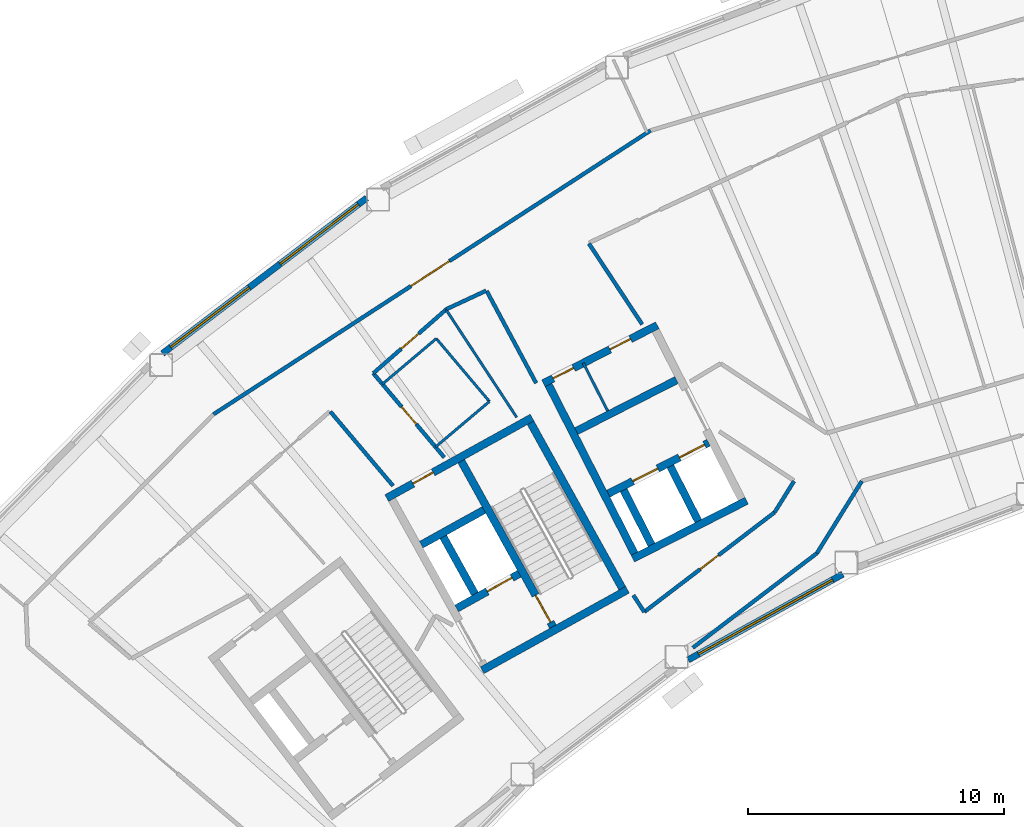
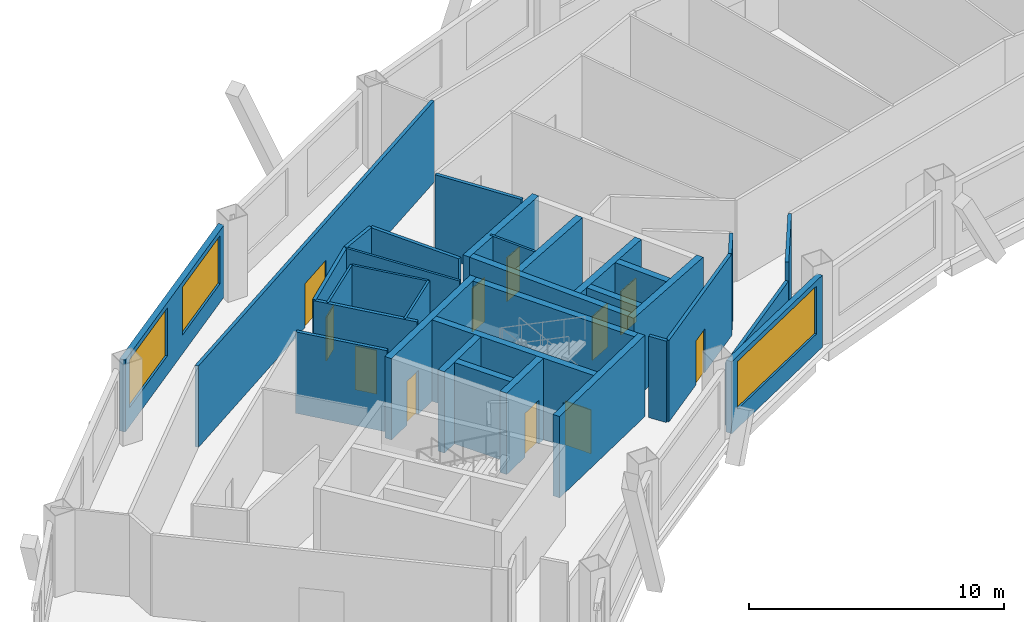
# One storey, part 6 of 14: 33 walls, 11 doors, 3 windows, 14 openings.
"""IFC4 building model written with IfcOpenShell, lengths in metres."""

from ifc_helpers import new_model, si_unit, direction, frame, frame_2d, origin, place, context, subcontext, project, spatial, rectangle, extrude, material, layer, layer_set, type_object, element, fill, save


model = new_model("IFC4")

# Units and contexts
model_context = context("Model", 3, precision=1e-05, world=origin(), true_north=direction((0.0, 1.0)))
body_context = subcontext(model_context, "Body", "Model", "MODEL_VIEW")
ifc_project = project(units=[si_unit("LENGTHUNIT", "METRE"), si_unit("AREAUNIT", "SQUARE_METRE"), si_unit("VOLUMEUNIT", "CUBIC_METRE"), si_unit("PLANEANGLEUNIT", "RADIAN"), si_unit("MASSUNIT", "GRAM", prefix="KILO")], contexts=[model_context])

# Site, building, storey
site_placement = place(None, origin())
site = spatial("IfcSite", under=ifc_project, at=site_placement, CompositionType="ELEMENT")
building_placement = place(site_placement, origin())
building = spatial("IfcBuilding", under=site, at=building_placement, Name="Tuul Gate Civic Tower", CompositionType="ELEMENT")
storey_placement = place(building_placement, frame((0.0, 0.0, 217.89990234375)))
storey = spatial("IfcBuildingStorey", under=building, at=storey_placement, Name="Level 49", CompositionType="ELEMENT", Elevation=217.89990234375)

# Wall
ifc_material_1 = material(Name="Concrete C50/60", Category="concrete")
ifc_layer_1 = layer(ifc_material_1, 0.300048828125)
ifc_layer_set_1 = layer_set([ifc_layer_1], Name="Concrete C50/60")
wall_type_1 = type_object("IfcWallType", Name="Core wall C50/60", PredefinedType="SHEAR", material=ifc_layer_set_1)
wall_1_placement = place(storey_placement, frame((-24.711669921875, -8.7158203125, 0.0), z_axis=(0.0, 0.0, 1.0), x_axis=(-0.874629909008, -0.484791215132, 0.0)))
element("IfcWall", 1, at=wall_1_placement, inside=storey, type_object=wall_type_1, Name="Core wall", PredefinedType="SHEAR", context=body_context, shape_type="SweptSolid", body=[
    extrude(rectangle(XDim=6.5, YDim=0.300048828125, at=frame_2d((3.25, 0.0))), origin(), (0.0, 0.0, 1.0), 3.900146484375),
])

# Wall, opening, door
wall_2_placement = place(storey_placement, frame((-28.94580078125, -8.090087890625, 0.0), z_axis=(0.0, 0.0, 1.0), x_axis=(-0.874629840737, -0.484791338301, 0.0)))
wall_2 = element("IfcWall", 2, at=wall_2_placement, inside=storey, type_object=wall_type_1, Name="Core wall", PredefinedType="SHEAR", context=body_context, shape_type="SweptSolid", body=[
    extrude(rectangle(XDim=2.800048828125, YDim=0.300048828125, at=frame_2d((1.39990234375, 0.0))), origin(), (0.0, 0.0, 1.0), 3.900146484375),
])
opening_1_placement = place(wall_2_placement, frame((0.324951171875, 0.0, 0.0)))
opening_1 = element("IfcOpeningElement", 3, at=opening_1_placement, cuts=wall_2, Name="Opening LD-FF-1", PredefinedType="OPENING", context=body_context, shape_type="SweptSolid", body=[
    extrude(rectangle(XDim=1.10009765625, YDim=2.10009765625, at=frame_2d((0.550048828125, 1.050048828125))), frame((0.0, 0.16015625, 0.0), z_axis=(0.0, -1.0, 0.0), x_axis=(1.0, 0.0, 0.0)), (0.0, 0.0, 1.0), 0.320068359375),
])
ifc_material_2 = material(Name="Stainless steel", Category="steel")
door_type_1 = type_object("IfcDoorType", Name="Landing door", OperationType="DOUBLE_DOOR_SLIDING", PredefinedType="DOOR", material=ifc_material_2)
door_1_placement = place(opening_1_placement, origin())
door_1 = element("IfcDoor", 4, at=door_1_placement, inside=storey, type_object=door_type_1, Name="Fire-fighting lift FF-1 landing door", OperationType="DOUBLE_DOOR_SLIDING", OverallHeight=2.10009765625, OverallWidth=1.10009765625, PredefinedType="DOOR", context=body_context, shape_type="SweptSolid", body=[
    extrude(rectangle(XDim=1.10009765625, YDim=2.10009765625, at=frame_2d((0.550048828125, 1.050048828125))), frame((0.0, 0.02490234375, 0.0), z_axis=(0.0, -1.0, 0.0), x_axis=(1.0, 0.0, 0.0)), (0.0, 0.0, 1.0), 0.050048828125),
])
fill(opening_1, door_1)

# Wall
wall_3_placement = place(storey_placement, frame((-30.327392578125, -5.59716796875, 0.0), z_axis=(0.0, 0.0, 1.0), x_axis=(-0.874629840737, -0.484791338301, 0.0)))
element("IfcWall", 5, at=wall_3_placement, inside=storey, type_object=wall_type_1, Name="Core wall", PredefinedType="SHEAR", context=body_context, shape_type="SweptSolid", body=[
    extrude(rectangle(XDim=2.800048828125, YDim=0.300048828125, at=frame_2d((1.39990234375, 0.0))), origin(), (0.0, 0.0, 1.0), 3.900146484375),
])

# Wall, opening, door
wall_4_placement = place(storey_placement, frame((-28.4443359375, -1.98095703125, 0.0), z_axis=(0.0, 0.0, 1.0), x_axis=(-0.874629909008, -0.484791215132, 0.0)))
wall_4 = element("IfcWall", 6, at=wall_4_placement, inside=storey, type_object=wall_type_1, Name="Core wall", PredefinedType="SHEAR", context=body_context, shape_type="SweptSolid", body=[
    extrude(rectangle(XDim=6.5, YDim=0.300048828125, at=frame_2d((3.25, 0.0))), origin(), (0.0, 0.0, 1.0), 3.900146484375),
])
opening_2_placement = place(wall_4_placement, frame((4.425048828125, 0.0, 0.0)))
opening_2 = element("IfcOpeningElement", 7, at=opening_2_placement, cuts=wall_4, Name="Opening R-D44", PredefinedType="OPENING", context=body_context, shape_type="SweptSolid", body=[
    extrude(rectangle(XDim=0.89990234375, YDim=2.10009765625, at=frame_2d((0.449951171875, 1.050048828125))), frame((0.0, 0.16015625, 0.0), z_axis=(0.0, -1.0, 0.0), x_axis=(1.0, 0.0, 0.0)), (0.0, 0.0, 1.0), 0.320068359375),
])
ifc_material_3 = material(Name="Timber door leaf", Category="wood")
door_type_2 = type_object("IfcDoorType", Name="Door D09", OperationType="NOTDEFINED", PredefinedType="DOOR", material=ifc_material_3)
door_2_placement = place(opening_2_placement, origin())
door_2 = element("IfcDoor", 8, at=door_2_placement, inside=storey, type_object=door_type_2, Name="Door R-D44", OperationType="SINGLE_SWING_LEFT", OverallHeight=2.10009765625, OverallWidth=0.89990234375, PredefinedType="DOOR", context=body_context, shape_type="SweptSolid", body=[
    extrude(rectangle(XDim=0.89990234375, YDim=2.10009765625, at=frame_2d((0.449951171875, 1.050048828125))), frame((0.0, 0.02490234375, 0.0), z_axis=(0.0, -1.0, 0.0), x_axis=(1.0, 0.0, 0.0)), (0.0, 0.0, 1.0), 0.050048828125),
])
fill(opening_2, door_2)

# Wall
wall_5_placement = place(storey_placement, frame((-24.91552734375, -8.6572265625, 0.0), z_axis=(0.0, 0.0, 1.0), x_axis=(-0.484777133038, 0.874637714304, 0.0)))
element("IfcWall", 9, at=wall_5_placement, inside=storey, type_object=wall_type_1, Name="Core wall", PredefinedType="SHEAR", context=body_context, shape_type="SweptSolid", body=[
    extrude(rectangle(XDim=7.400146484375, YDim=0.300048828125, at=frame_2d((3.7001953125, 0.0))), origin(), (0.0, 0.0, 1.0), 3.900146484375),
])

# Wall, opening, door
wall_6_placement = place(storey_placement, frame((-27.626953125, -10.16015625, 0.0), z_axis=(0.0, 0.0, 1.0), x_axis=(-0.484751894226, 0.874651702704, 0.0)))
wall_6 = element("IfcWall", 10, at=wall_6_placement, inside=storey, type_object=wall_type_1, Name="Core wall", PredefinedType="SHEAR", context=body_context, shape_type="SweptSolid", body=[
    extrude(rectangle(XDim=7.39990234375, YDim=0.300048828125, at=frame_2d((3.699951171875, 0.0))), origin(), (0.0, 0.0, 1.0), 3.900146484375),
])
opening_3_placement = place(wall_6_placement, frame((0.199951171875, 0.0, 0.0)))
opening_3 = element("IfcOpeningElement", 11, at=opening_3_placement, cuts=wall_6, Name="Opening SD-ST-2", PredefinedType="OPENING", context=body_context, shape_type="SweptSolid", body=[
    extrude(rectangle(XDim=1.199951171875, YDim=2.10009765625, at=frame_2d((0.60009765625, 1.050048828125))), frame((0.0, 0.16015625, 0.0), z_axis=(0.0, -1.0, 0.0), x_axis=(1.0, 0.0, 0.0)), (0.0, 0.0, 1.0), 0.320068359375),
])
ifc_material_4 = material(Name="Steel", Category="steel")
door_type_3 = type_object("IfcDoorType", Name="Stair door", OperationType="NOTDEFINED", PredefinedType="DOOR", material=ifc_material_4)
door_3_placement = place(opening_3_placement, origin())
door_3 = element("IfcDoor", 12, at=door_3_placement, inside=storey, type_object=door_type_3, Name="Stair door ST-2", OperationType="SINGLE_SWING_LEFT", OverallHeight=2.10009765625, OverallWidth=1.199951171875, PredefinedType="DOOR", context=body_context, shape_type="SweptSolid", body=[
    extrude(rectangle(XDim=1.199951171875, YDim=2.10009765625, at=frame_2d((0.60009765625, 1.050048828125))), frame((0.0, 0.02490234375, 0.0), z_axis=(0.0, -1.0, 0.0), x_axis=(1.0, 0.0, 0.0)), (0.0, 0.0, 1.0), 0.050048828125),
])
fill(opening_3, door_3)

# Wall
wall_7_placement = place(storey_placement, frame((-30.680419921875, -8.8798828125, 0.0), z_axis=(0.0, 0.0, 1.0), x_axis=(-0.484724115216, 0.874667097888, 0.0)))
element("IfcWall", 13, at=wall_7_placement, inside=storey, type_object=wall_type_1, Name="Core wall", PredefinedType="SHEAR", context=body_context, shape_type="SweptSolid", body=[
    extrude(rectangle(XDim=2.550048828125, YDim=0.300048828125, at=frame_2d((1.27490234375, 0.0))), origin(), (0.0, 0.0, 1.0), 3.900146484375),
])

# Wall, opening, door
ifc_material_5 = material(Name="Gypsum board partition")
ifc_layer_2 = layer(ifc_material_5, 0.14990234375)
ifc_layer_set_2 = layer_set([ifc_layer_2], Name="Gypsum board partition")
wall_type_2 = type_object("IfcWallType", Name="Corridor wall P150", PredefinedType="PARTITIONING", material=ifc_layer_set_2)
wall_8_placement = place(storey_placement, frame((-40.91259765625, -1.85595703125, 0.0), z_axis=(0.0, 0.0, 1.0), x_axis=(0.838694654804, 0.54460194271, 0.0)))
wall_8 = element("IfcWall", 14, at=wall_8_placement, inside=storey, type_object=wall_type_2, Name="p014", PredefinedType="PARTITIONING", context=body_context, shape_type="SweptSolid", body=[
    extrude(rectangle(XDim=20.39013671875, YDim=0.14990234375, at=frame_2d((10.195068359375, 0.0))), origin(), (0.0, 0.0, 1.0), 3.900146484375),
])
opening_4_placement = place(wall_8_placement, frame((9.218017578125, 0.0, 0.0)))
opening_4 = element("IfcOpeningElement", 15, at=opening_4_placement, cuts=wall_8, Name="Opening R-D05", PredefinedType="OPENING", context=body_context, shape_type="SweptSolid", body=[
    extrude(rectangle(XDim=1.800048828125, YDim=2.10009765625, at=frame_2d((0.89990234375, 1.050048828125))), frame((0.0, 0.0849609375, 0.0), z_axis=(0.0, -1.0, 0.0), x_axis=(1.0, 0.0, 0.0)), (0.0, 0.0, 1.0), 0.169921875),
])
ifc_material_6 = material(Name="Timber door leaf, double", Category="wood")
door_type_4 = type_object("IfcDoorType", Name="Door D18", OperationType="DOUBLE_DOOR_SINGLE_SWING", PredefinedType="DOOR", material=ifc_material_6)
door_4_placement = place(opening_4_placement, origin())
door_4 = element("IfcDoor", 16, at=door_4_placement, inside=storey, type_object=door_type_4, Name="Door R-D05", OperationType="DOUBLE_DOOR_SINGLE_SWING", OverallHeight=2.10009765625, OverallWidth=1.800048828125, PredefinedType="DOOR", context=body_context, shape_type="SweptSolid", body=[
    extrude(rectangle(XDim=1.800048828125, YDim=2.10009765625, at=frame_2d((0.89990234375, 1.050048828125))), frame((0.0, 0.02490234375, 0.0), z_axis=(0.0, -1.0, 0.0), x_axis=(1.0, 0.0, 0.0)), (0.0, 0.0, 1.0), 0.050048828125),
])
fill(opening_4, door_4)

# Walls
wall_9_placement = place(storey_placement, frame((-17.30126953125, -7.2890625, 0.0), z_axis=(0.0, 0.0, 1.0), x_axis=(0.528856076926, 0.848711523368, 0.0)))
element("IfcWall", 17, at=wall_9_placement, inside=storey, type_object=wall_type_2, Name="p039", PredefinedType="PARTITIONING", context=body_context, shape_type="SweptSolid", body=[
    extrude(rectangle(XDim=3.3232421875, YDim=0.14990234375, at=frame_2d((1.66162109375, 0.0))), origin(), (0.0, 0.0, 1.0), 3.900146484375),
])
wall_10_placement = place(storey_placement, frame((-31.78955078125, 2.26220703125, 0.0), z_axis=(0.0, 0.0, 1.0), x_axis=(0.906552739591, 0.422092561341, 0.0)))
element("IfcWall", 18, at=wall_10_placement, inside=storey, type_object=wall_type_2, Name="p082", PredefinedType="PARTITIONING", context=body_context, shape_type="SweptSolid", body=[
    extrude(rectangle(XDim=1.702880859375, YDim=0.14990234375, at=frame_2d((0.8515625, 0.0))), origin(), (0.0, 0.0, 1.0), 3.900146484375),
])
wall_11_placement = place(storey_placement, frame((-26.22119140625, 4.828857421875, 0.0), z_axis=(0.0, 0.0, 1.0), x_axis=(0.550321528377, -0.834952822263, 0.0)))
element("IfcWall", 19, at=wall_11_placement, inside=storey, type_object=wall_type_2, Name="p087", PredefinedType="PARTITIONING", context=body_context, shape_type="SweptSolid", body=[
    extrude(rectangle(XDim=3.78955078125, YDim=0.14990234375, at=frame_2d((1.894775390625, 0.0))), origin(), (0.0, 0.0, 1.0), 3.900146484375),
])
wall_12_placement = place(storey_placement, frame((-24.482421875, -8.931640625, 0.0), z_axis=(0.0, 0.0, 1.0), x_axis=(0.548342642764, -0.836253757018, 0.0)))
element("IfcWall", 20, at=wall_12_placement, inside=storey, type_object=wall_type_2, Name="p089", PredefinedType="PARTITIONING", context=body_context, shape_type="SweptSolid", body=[
    extrude(rectangle(XDim=0.78173828125, YDim=0.14990234375, at=frame_2d((0.390869140625, 0.0))), origin(), (0.0, 0.0, 1.0), 3.900146484375),
])

# Wall, opening, door
wall_13_placement = place(storey_placement, frame((-34.65625, -0.24853515625, 0.0), z_axis=(0.0, 0.0, 1.0), x_axis=(0.752267052032, 0.658858317416, 0.0)))
wall_13 = element("IfcWall", 21, at=wall_13_placement, inside=storey, type_object=wall_type_2, Name="p091", PredefinedType="PARTITIONING", context=body_context, shape_type="SweptSolid", body=[
    extrude(rectangle(XDim=3.810791015625, YDim=0.14990234375, at=frame_2d((1.9052734375, 0.0))), origin(), (0.0, 0.0, 1.0), 3.900146484375),
])
opening_5_placement = place(wall_13_placement, frame((1.455322265625, 0.0, 0.0)))
opening_5 = element("IfcOpeningElement", 22, at=opening_5_placement, cuts=wall_13, Name="Opening R-D42", PredefinedType="OPENING", context=body_context, shape_type="SweptSolid", body=[
    extrude(rectangle(XDim=0.89990234375, YDim=2.10009765625, at=frame_2d((0.449951171875, 1.050048828125))), frame((0.0, 0.0849609375, 0.0), z_axis=(0.0, -1.0, 0.0), x_axis=(1.0, 0.0, 0.0)), (0.0, 0.0, 1.0), 0.169921875),
])
door_5_placement = place(opening_5_placement, origin())
door_5 = element("IfcDoor", 23, at=door_5_placement, inside=storey, type_object=door_type_2, Name="Door R-D42", OperationType="SINGLE_SWING_RIGHT", OverallHeight=2.10009765625, OverallWidth=0.89990234375, PredefinedType="DOOR", context=body_context, shape_type="SweptSolid", body=[
    extrude(rectangle(XDim=0.89990234375, YDim=2.10009765625, at=frame_2d((0.449951171875, 1.050048828125))), frame((0.0, 0.02490234375, 0.0), z_axis=(0.0, -1.0, 0.0), x_axis=(1.0, 0.0, 0.0)), (0.0, 0.0, 1.0), 0.050048828125),
])
fill(opening_5, door_5)

# Walls
wall_14_placement = place(storey_placement, frame((-30.21923828125, 2.971923828125, 0.0), z_axis=(0.0, 0.0, 1.0), x_axis=(0.472839183622, -0.881148742513, 0.0)))
element("IfcWall", 24, at=wall_14_placement, inside=storey, type_object=wall_type_2, Name="p092", PredefinedType="PARTITIONING", context=body_context, shape_type="SweptSolid", body=[
    extrude(rectangle(XDim=4.08984375, YDim=0.14990234375, at=frame_2d((2.044921875, 0.0))), origin(), (0.0, 0.0, 1.0), 3.900146484375),
])
wall_15_placement = place(storey_placement, frame((-18.952392578125, -5.684326171875, 0.0), z_axis=(0.0, 0.0, 1.0), x_axis=(0.528862582225, 0.848707469699, 0.0)))
element("IfcWall", 25, at=wall_15_placement, inside=storey, type_object=wall_type_2, Name="p094", PredefinedType="PARTITIONING", context=body_context, shape_type="SweptSolid", body=[
    extrude(rectangle(XDim=1.4296875, YDim=0.14990234375, at=frame_2d((0.71484375, 0.0))), origin(), (0.0, 0.0, 1.0), 3.900146484375),
])

# Wall, opening, door
wall_16_placement = place(storey_placement, frame((-24.0537109375, -9.58544921875, 0.0), z_axis=(0.0, 0.0, 1.0), x_axis=(0.794499344457, 0.607265009413, 0.0)))
wall_16 = element("IfcWall", 26, at=wall_16_placement, inside=storey, type_object=wall_type_2, Name="p095", PredefinedType="PARTITIONING", context=body_context, shape_type="SweptSolid", body=[
    extrude(rectangle(XDim=6.4140625, YDim=0.14990234375, at=frame_2d((3.20703125, 0.0))), origin(), (0.0, 0.0, 1.0), 3.900146484375),
])
opening_6_placement = place(wall_16_placement, frame((2.757080078125, 0.0, 0.0)))
opening_6 = element("IfcOpeningElement", 27, at=opening_6_placement, cuts=wall_16, Name="Opening R-D34", PredefinedType="OPENING", context=body_context, shape_type="SweptSolid", body=[
    extrude(rectangle(XDim=0.89990234375, YDim=2.10009765625, at=frame_2d((0.449951171875, 1.050048828125))), frame((0.0, 0.0849609375, 0.0), z_axis=(0.0, -1.0, 0.0), x_axis=(1.0, 0.0, 0.0)), (0.0, 0.0, 1.0), 0.169921875),
])
door_6_placement = place(opening_6_placement, origin())
door_6 = element("IfcDoor", 28, at=door_6_placement, inside=storey, type_object=door_type_2, Name="Door R-D34", OperationType="SINGLE_SWING_RIGHT", OverallHeight=2.10009765625, OverallWidth=0.89990234375, PredefinedType="DOOR", context=body_context, shape_type="SweptSolid", body=[
    extrude(rectangle(XDim=0.89990234375, YDim=2.10009765625, at=frame_2d((0.449951171875, 1.050048828125))), frame((0.0, 0.02490234375, 0.0), z_axis=(0.0, -1.0, 0.0), x_axis=(1.0, 0.0, 0.0)), (0.0, 0.0, 1.0), 0.050048828125),
])
fill(opening_6, door_6)

wall_17_placement = place(storey_placement, frame((-34.65625, -0.24853515625, 0.0), z_axis=(0.0, 0.0, 1.0), x_axis=(0.645164646928, -0.764043570979, 0.0)))
wall_17 = element("IfcWall", 29, at=wall_17_placement, inside=storey, type_object=wall_type_2, Name="p097", PredefinedType="PARTITIONING", context=body_context, shape_type="SweptSolid", body=[
    extrude(rectangle(XDim=4.30859375, YDim=0.14990234375, at=frame_2d((2.154296875, 0.0))), origin(), (0.0, 0.0, 1.0), 3.900146484375),
])
opening_7_placement = place(wall_17_placement, frame((1.714111328125, 0.0, 0.0)))
opening_7 = element("IfcOpeningElement", 30, at=opening_7_placement, cuts=wall_17, Name="Opening R-D35", PredefinedType="OPENING", context=body_context, shape_type="SweptSolid", body=[
    extrude(rectangle(XDim=0.89990234375, YDim=2.10009765625, at=frame_2d((0.449951171875, 1.050048828125))), frame((0.0, 0.0849609375, 0.0), z_axis=(0.0, -1.0, 0.0), x_axis=(1.0, 0.0, 0.0)), (0.0, 0.0, 1.0), 0.169921875),
])
door_7_placement = place(opening_7_placement, origin())
door_7 = element("IfcDoor", 31, at=door_7_placement, inside=storey, type_object=door_type_2, Name="Door R-D35", OperationType="SINGLE_SWING_RIGHT", OverallHeight=2.10009765625, OverallWidth=0.89990234375, PredefinedType="DOOR", context=body_context, shape_type="SweptSolid", body=[
    extrude(rectangle(XDim=0.89990234375, YDim=2.10009765625, at=frame_2d((0.449951171875, 1.050048828125))), frame((0.0, 0.02490234375, 0.0), z_axis=(0.0, -1.0, 0.0), x_axis=(1.0, 0.0, 0.0)), (0.0, 0.0, 1.0), 0.050048828125),
])
fill(opening_7, door_7)

# Walls
wall_18_placement = place(storey_placement, frame((-36.335693359375, -1.747314453125, 0.0), z_axis=(0.0, 0.0, 1.0), x_axis=(0.645204975868, -0.764009515069, 0.0)))
element("IfcWall", 32, at=wall_18_placement, inside=storey, type_object=wall_type_2, Name="p102", PredefinedType="PARTITIONING", context=body_context, shape_type="SweptSolid", body=[
    extrude(rectangle(XDim=3.8017578125, YDim=0.14990234375, at=frame_2d((1.90087890625, 0.0))), origin(), (0.0, 0.0, 1.0), 3.900146484375),
])
ifc_material_7 = material(Name="Gypsum board partition")
ifc_layer_3 = layer(ifc_material_7, 0.14990234375)
ifc_layer_set_3 = layer_set([ifc_layer_3], Name="Gypsum board partition")
wall_type_3 = type_object("IfcWallType", Name="Corridor wall P150 3000 HIGH", PredefinedType="PARTITIONING", material=ifc_layer_set_3)
wall_19_placement = place(storey_placement, frame((-22.156005859375, -10.98828125, 0.0), z_axis=(0.0, 0.0, 1.0), x_axis=(0.795349073888, 0.606151672988, 0.0)))
element("IfcWall", 33, at=wall_19_placement, inside=storey, type_object=wall_type_3, Name="p023", PredefinedType="PARTITIONING", context=body_context, shape_type="SweptSolid", body=[
    extrude(rectangle(XDim=6.103515625, YDim=0.14990234375, at=frame_2d((3.0517578125, 0.0))), origin(), (0.0, 0.0, 1.0), 3.0),
])

# Wall, openings, windows
ifc_material_8 = material(Name="Precast concrete C40/50", Category="concrete")
ifc_layer_4 = layer(ifc_material_8, 0.25)
ifc_layer_set_4 = layer_set([ifc_layer_4], Name="Precast concrete C40/50")
wall_type_4 = type_object("IfcWallType", Name="External wall", PredefinedType="STANDARD", material=ifc_layer_set_4)
wall_20_placement = place(storey_placement, frame((-34.9130859375, 6.608642578125, 0.0), z_axis=(0.0, 0.0, 1.0), x_axis=(-0.795599673756, -0.605822712615, 0.0)))
wall_20 = element("IfcWall", 34, at=wall_20_placement, inside=storey, type_object=wall_type_4, Name="External wall", PredefinedType="STANDARD", context=body_context, shape_type="SweptSolid", body=[
    extrude(rectangle(XDim=10.0419921875, YDim=0.25, at=frame_2d((5.02099609375, 0.0))), origin(), (0.0, 0.0, 1.0), 3.4501953125),
])
opening_8_placement = place(wall_20_placement, frame((0.4091796875, 0.0, 0.89990234375)))
opening_8 = element("IfcOpeningElement", 35, at=opening_8_placement, cuts=wall_20, Name="Opening W22", PredefinedType="OPENING", context=body_context, shape_type="SweptSolid", body=[
    extrude(rectangle(XDim=3.85009765625, YDim=2.300048828125, at=frame_2d((1.925048828125, 1.14990234375))), frame((0.0, 0.135009765625, 0.0), z_axis=(0.0, -1.0, 0.0), x_axis=(1.0, 0.0, 0.0)), (0.0, 0.0, 1.0), 0.27001953125),
])
opening_9_placement = place(wall_20_placement, frame((5.780517578125, 0.0, 0.89990234375)))
opening_9 = element("IfcOpeningElement", 36, at=opening_9_placement, cuts=wall_20, Name="Opening W22", PredefinedType="OPENING", context=body_context, shape_type="SweptSolid", body=[
    extrude(rectangle(XDim=3.85009765625, YDim=2.300048828125, at=frame_2d((1.925048828125, 1.14990234375))), frame((0.0, 0.135009765625, 0.0), z_axis=(0.0, -1.0, 0.0), x_axis=(1.0, 0.0, 0.0)), (0.0, 0.0, 1.0), 0.27001953125),
])
ifc_material_9 = material(Name="Glass", Category="glass")
window_type_1 = type_object("IfcWindowType", Name="Window W22 3850 x 2300", PartitioningType="SINGLE_PANEL", PredefinedType="WINDOW", material=ifc_material_9)
window_1_placement = place(opening_8_placement, origin())
window_1 = element("IfcWindow", 37, at=window_1_placement, inside=storey, type_object=window_type_1, Name="Window", OverallHeight=2.300048828125, OverallWidth=3.85009765625, PartitioningType="SINGLE_PANEL", PredefinedType="WINDOW", context=body_context, shape_type="SweptSolid", body=[
    extrude(rectangle(XDim=3.85009765625, YDim=2.300048828125, at=frame_2d((1.925048828125, 1.14990234375))), frame((0.0, 0.030029296875, 0.0), z_axis=(0.0, -1.0, 0.0), x_axis=(1.0, 0.0, 0.0)), (0.0, 0.0, 1.0), 0.06005859375),
])
fill(opening_8, window_1)
window_2_placement = place(opening_9_placement, origin())
window_2 = element("IfcWindow", 38, at=window_2_placement, inside=storey, type_object=window_type_1, Name="Window", OverallHeight=2.300048828125, OverallWidth=3.85009765625, PartitioningType="SINGLE_PANEL", PredefinedType="WINDOW", context=body_context, shape_type="SweptSolid", body=[
    extrude(rectangle(XDim=3.85009765625, YDim=2.300048828125, at=frame_2d((1.925048828125, 1.14990234375))), frame((0.0, 0.030029296875, 0.0), z_axis=(0.0, -1.0, 0.0), x_axis=(1.0, 0.0, 0.0)), (0.0, 0.0, 1.0), 0.06005859375),
])
fill(opening_9, window_2)

# Wall, opening, window
wall_21_placement = place(storey_placement, frame((-22.3369140625, -11.46044921875, 0.0), z_axis=(0.0, 0.0, 1.0), x_axis=(0.874618182136, 0.484812371416, 0.0)))
wall_21 = element("IfcWall", 39, at=wall_21_placement, inside=storey, type_object=wall_type_4, Name="External wall", PredefinedType="STANDARD", context=body_context, shape_type="SweptSolid", body=[
    extrude(rectangle(XDim=6.9150390625, YDim=0.25, at=frame_2d((3.45751953125, 0.0))), origin(), (0.0, 0.0, 1.0), 3.4501953125),
])
opening_10_placement = place(wall_21_placement, frame((0.4619140625, 0.0, 0.89990234375)))
opening_10 = element("IfcOpeningElement", 40, at=opening_10_placement, cuts=wall_21, Name="Opening W26", PredefinedType="OPENING", context=body_context, shape_type="SweptSolid", body=[
    extrude(rectangle(XDim=6.0, YDim=2.300048828125, at=frame_2d((3.0, 1.14990234375))), frame((0.0, 0.135009765625, 0.0), z_axis=(0.0, -1.0, 0.0), x_axis=(1.0, 0.0, 0.0)), (0.0, 0.0, 1.0), 0.27001953125),
])
ifc_material_10 = material(Name="Glass", Category="glass")
window_type_2 = type_object("IfcWindowType", Name="Window W26 6000 x 2300", PartitioningType="SINGLE_PANEL", PredefinedType="WINDOW", material=ifc_material_10)
window_3_placement = place(opening_10_placement, origin())
window_3 = element("IfcWindow", 41, at=window_3_placement, inside=storey, type_object=window_type_2, Name="Window", OverallHeight=2.300048828125, OverallWidth=6.0, PartitioningType="SINGLE_PANEL", PredefinedType="WINDOW", context=body_context, shape_type="SweptSolid", body=[
    extrude(rectangle(XDim=6.0, YDim=2.300048828125, at=frame_2d((3.0, 1.14990234375))), frame((0.0, 0.030029296875, 0.0), z_axis=(0.0, -1.0, 0.0), x_axis=(1.0, 0.0, 0.0)), (0.0, 0.0, 1.0), 0.06005859375),
])
fill(opening_10, window_3)

# Wall
ifc_material_11 = material(Name="Concrete C40/50", Category="concrete")
ifc_layer_5 = layer(ifc_material_11, 0.300048828125)
ifc_layer_set_5 = layer_set([ifc_layer_5], Name="Concrete C40/50")
wall_type_5 = type_object("IfcWallType", Name="Lift shaft wall C40/50", PredefinedType="STANDARD", material=ifc_layer_set_5)
wall_22_placement = place(storey_placement, frame((-20.049072265625, -5.232421875, 0.0), z_axis=(0.0, 0.0, 1.0), x_axis=(-0.891002976909, -0.453997461601, 0.0)))
element("IfcWall", 42, at=wall_22_placement, inside=storey, type_object=wall_type_5, Name="Shaft wall", PredefinedType="STANDARD", context=body_context, shape_type="SweptSolid", body=[
    extrude(rectangle(XDim=5.0, YDim=0.300048828125, at=frame_2d((2.5, 0.0))), origin(), (0.0, 0.0, 1.0), 3.900146484375),
])

# Wall, openings, doors
wall_23_placement = place(storey_placement, frame((-21.542236328125, -2.962890625, 0.0), z_axis=(0.0, 0.0, 1.0), x_axis=(-0.891005618941, -0.453992276384, 0.0)))
wall_23 = element("IfcWall", 43, at=wall_23_placement, inside=storey, type_object=wall_type_5, Name="Shaft wall", PredefinedType="STANDARD", context=body_context, shape_type="SweptSolid", body=[
    extrude(rectangle(XDim=4.39990234375, YDim=0.300048828125, at=frame_2d((2.199951171875, 0.0))), origin(), (0.0, 0.0, 1.0), 3.900146484375),
])
opening_11_placement = place(wall_23_placement, frame((0.175048828125, 0.0, 0.0)))
opening_11 = element("IfcOpeningElement", 44, at=opening_11_placement, cuts=wall_23, Name="Opening LD-M1", PredefinedType="OPENING", context=body_context, shape_type="SweptSolid", body=[
    extrude(rectangle(XDim=1.10009765625, YDim=2.10009765625, at=frame_2d((0.550048828125, 1.050048828125))), frame((0.0, 0.16015625, 0.0), z_axis=(0.0, -1.0, 0.0), x_axis=(1.0, 0.0, 0.0)), (0.0, 0.0, 1.0), 0.320068359375),
])
opening_12_placement = place(wall_23_placement, frame((2.22509765625, 0.0, 0.0)))
opening_12 = element("IfcOpeningElement", 45, at=opening_12_placement, cuts=wall_23, Name="Opening LD-M2", PredefinedType="OPENING", context=body_context, shape_type="SweptSolid", body=[
    extrude(rectangle(XDim=1.10009765625, YDim=2.10009765625, at=frame_2d((0.550048828125, 1.050048828125))), frame((0.0, 0.16015625, 0.0), z_axis=(0.0, -1.0, 0.0), x_axis=(1.0, 0.0, 0.0)), (0.0, 0.0, 1.0), 0.320068359375),
])
door_8_placement = place(opening_11_placement, origin())
door_8 = element("IfcDoor", 46, at=door_8_placement, inside=storey, type_object=door_type_1, Name="Mid-rise lift M1 landing door", OperationType="DOUBLE_DOOR_SLIDING", OverallHeight=2.10009765625, OverallWidth=1.10009765625, PredefinedType="DOOR", context=body_context, shape_type="SweptSolid", body=[
    extrude(rectangle(XDim=1.10009765625, YDim=2.10009765625, at=frame_2d((0.550048828125, 1.050048828125))), frame((0.0, 0.02490234375, 0.0), z_axis=(0.0, -1.0, 0.0), x_axis=(1.0, 0.0, 0.0)), (0.0, 0.0, 1.0), 0.050048828125),
])
fill(opening_11, door_8)
door_9_placement = place(opening_12_placement, origin())
door_9 = element("IfcDoor", 47, at=door_9_placement, inside=storey, type_object=door_type_1, Name="Mid-rise lift M2 landing door", OperationType="DOUBLE_DOOR_SLIDING", OverallHeight=2.10009765625, OverallWidth=1.10009765625, PredefinedType="DOOR", context=body_context, shape_type="SweptSolid", body=[
    extrude(rectangle(XDim=1.10009765625, YDim=2.10009765625, at=frame_2d((0.550048828125, 1.050048828125))), frame((0.0, 0.02490234375, 0.0), z_axis=(0.0, -1.0, 0.0), x_axis=(1.0, 0.0, 0.0)), (0.0, 0.0, 1.0), 0.050048828125),
])
fill(opening_12, door_9)

# Wall
wall_24_placement = place(storey_placement, frame((-22.790771484375, -0.5126953125, 0.0), z_axis=(0.0, 0.0, 1.0), x_axis=(-0.891005618941, -0.453992276384, 0.0)))
element("IfcWall", 48, at=wall_24_placement, inside=storey, type_object=wall_type_5, Name="Shaft wall", PredefinedType="STANDARD", context=body_context, shape_type="SweptSolid", body=[
    extrude(rectangle(XDim=4.39990234375, YDim=0.300048828125, at=frame_2d((2.199951171875, 0.0))), origin(), (0.0, 0.0, 1.0), 3.900146484375),
])

# Wall, openings, doors
wall_25_placement = place(storey_placement, frame((-23.544921875, 1.62841796875, 0.0), z_axis=(0.0, 0.0, 1.0), x_axis=(-0.891002976909, -0.453997461601, 0.0)))
wall_25 = element("IfcWall", 49, at=wall_25_placement, inside=storey, type_object=wall_type_5, Name="Shaft wall", PredefinedType="STANDARD", context=body_context, shape_type="SweptSolid", body=[
    extrude(rectangle(XDim=5.0, YDim=0.300048828125, at=frame_2d((2.5, 0.0))), origin(), (0.0, 0.0, 1.0), 3.900146484375),
])
opening_13_placement = place(wall_25_placement, frame((1.175048828125, 0.0, 0.0)))
opening_13 = element("IfcOpeningElement", 50, at=opening_13_placement, cuts=wall_25, Name="Opening R-D49", PredefinedType="OPENING", context=body_context, shape_type="SweptSolid", body=[
    extrude(rectangle(XDim=0.89990234375, YDim=2.10009765625, at=frame_2d((0.449951171875, 1.050048828125))), frame((0.0, 0.16015625, 0.0), z_axis=(0.0, -1.0, 0.0), x_axis=(1.0, 0.0, 0.0)), (0.0, 0.0, 1.0), 0.320068359375),
])
opening_14_placement = place(wall_25_placement, frame((3.675048828125, 0.0, 0.0)))
opening_14 = element("IfcOpeningElement", 51, at=opening_14_placement, cuts=wall_25, Name="Opening R-D50", PredefinedType="OPENING", context=body_context, shape_type="SweptSolid", body=[
    extrude(rectangle(XDim=0.89990234375, YDim=2.10009765625, at=frame_2d((0.449951171875, 1.050048828125))), frame((0.0, 0.16015625, 0.0), z_axis=(0.0, -1.0, 0.0), x_axis=(1.0, 0.0, 0.0)), (0.0, 0.0, 1.0), 0.320068359375),
])
door_10_placement = place(opening_13_placement, origin())
door_10 = element("IfcDoor", 52, at=door_10_placement, inside=storey, type_object=door_type_2, Name="Door R-D49", OperationType="SINGLE_SWING_RIGHT", OverallHeight=2.10009765625, OverallWidth=0.89990234375, PredefinedType="DOOR", context=body_context, shape_type="SweptSolid", body=[
    extrude(rectangle(XDim=0.89990234375, YDim=2.10009765625, at=frame_2d((0.449951171875, 1.050048828125))), frame((0.0, 0.02490234375, 0.0), z_axis=(0.0, -1.0, 0.0), x_axis=(1.0, 0.0, 0.0)), (0.0, 0.0, 1.0), 0.050048828125),
])
fill(opening_13, door_10)
door_11_placement = place(opening_14_placement, origin())
door_11 = element("IfcDoor", 53, at=door_11_placement, inside=storey, type_object=door_type_2, Name="Door R-D50", OperationType="SINGLE_SWING_LEFT", OverallHeight=2.10009765625, OverallWidth=0.89990234375, PredefinedType="DOOR", context=body_context, shape_type="SweptSolid", body=[
    extrude(rectangle(XDim=0.89990234375, YDim=2.10009765625, at=frame_2d((0.449951171875, 1.050048828125))), frame((0.0, 0.02490234375, 0.0), z_axis=(0.0, -1.0, 0.0), x_axis=(1.0, 0.0, 0.0)), (0.0, 0.0, 1.0), 0.050048828125),
])
fill(opening_14, door_11)

# Walls
for number, where, z_axis, x_axis, name in (
    (54, (-21.94384765625, -6.029296875, 0.0), (0.0, 0.0, 1.0), (-0.45403702923, 0.890982814698, 0.0), "Shaft wall"),
    (55, (-23.770263671875, -6.960205078125, 0.0), (0.0, 0.0, 1.0), (-0.45399587725, 0.891003784189, 0.0), "Shaft wall"),
):
    element("IfcWall", number, at=place(storey_placement, frame(where, z_axis=z_axis, x_axis=x_axis)), inside=storey, type_object=wall_type_5, Name=name, PredefinedType="STANDARD", context=body_context, shape_type="SweptSolid", body=[
        extrude(rectangle(XDim=2.39990234375, YDim=0.300048828125, at=frame_2d((1.199951171875, 0.0))), origin(), (0.0, 0.0, 1.0), 3.900146484375),
    ])
wall_26_placement = place(storey_placement, frame((-24.438720703125, -7.300537109375, 0.0), z_axis=(0.0, 0.0, 1.0), x_axis=(-0.453984101083, 0.891009784438, 0.0)))
element("IfcWall", 56, at=wall_26_placement, inside=storey, type_object=wall_type_5, Name="Shaft wall", PredefinedType="STANDARD", context=body_context, shape_type="SweptSolid", body=[
    extrude(rectangle(XDim=7.399658203125, YDim=0.300048828125, at=frame_2d((3.69970703125, 0.0))), origin(), (0.0, 0.0, 1.0), 3.900146484375),
])
ifc_material_12 = material(Name="Gypsum board partition")
ifc_layer_6 = layer(ifc_material_12, 0.10009765625)
ifc_layer_set_6 = layer_set([ifc_layer_6], Name="Gypsum board partition")
wall_type_6 = type_object("IfcWallType", Name="Partition P100", PredefinedType="PARTITIONING", material=ifc_layer_set_6)
wall_27_placement = place(storey_placement, frame((-31.809814453125, 2.244384765625, 0.0), z_axis=(0.0, 0.0, 1.0), x_axis=(0.54831365658, -0.836272762924, 0.0)))
element("IfcWall", 57, at=wall_27_placement, inside=storey, type_object=wall_type_6, Name="p096", PredefinedType="PARTITIONING", context=body_context, shape_type="SweptSolid", body=[
    extrude(rectangle(XDim=5.041259765625, YDim=0.10009765625, at=frame_2d((2.5205078125, 0.0))), origin(), (0.0, 0.0, 1.0), 3.900146484375),
])
wall_28_placement = place(storey_placement, frame((-34.298828125, -0.671875, 0.0), z_axis=(0.0, 0.0, 1.0), x_axis=(0.7640066599, 0.645208356757, 0.0)))
element("IfcWall", 58, at=wall_28_placement, inside=storey, type_object=wall_type_6, Name="p098", PredefinedType="PARTITIONING", context=body_context, shape_type="SweptSolid", body=[
    extrude(rectangle(XDim=2.760009765625, YDim=0.10009765625, at=frame_2d((1.3798828125, 0.0))), origin(), (0.0, 0.0, 1.0), 3.900146484375),
])
wall_29_placement = place(storey_placement, frame((-32.190185546875, 1.10888671875, 0.0), z_axis=(0.0, 0.0, 1.0), x_axis=(0.645204421607, -0.764009983141, 0.0)))
element("IfcWall", 59, at=wall_29_placement, inside=storey, type_object=wall_type_6, Name="p099", PredefinedType="PARTITIONING", context=body_context, shape_type="SweptSolid", body=[
    extrude(rectangle(XDim=3.22021484375, YDim=0.10009765625, at=frame_2d((1.610107421875, 0.0))), origin(), (0.0, 0.0, 1.0), 3.900146484375),
])
wall_30_placement = place(storey_placement, frame((-32.221435546875, -3.132080078125, 0.0), z_axis=(0.0, 0.0, 1.0), x_axis=(0.764043480441, 0.645164754149, 0.0)))
element("IfcWall", 60, at=wall_30_placement, inside=storey, type_object=wall_type_6, Name="p100", PredefinedType="PARTITIONING", context=body_context, shape_type="SweptSolid", body=[
    extrude(rectangle(XDim=2.76025390625, YDim=0.10009765625, at=frame_2d((1.380126953125, 0.0))), origin(), (0.0, 0.0, 1.0), 3.900146484375),
])
wall_31_placement = place(storey_placement, frame((-25.4873046875, -1.71826171875, 0.0), z_axis=(0.0, 0.0, 1.0), x_axis=(-0.453990218702, 0.891006667384, 0.0)))
element("IfcWall", 61, at=wall_31_placement, inside=storey, type_object=wall_type_6, Name="bW3-BAND-0", PredefinedType="PARTITIONING", context=body_context, shape_type="SweptSolid", body=[
    extrude(rectangle(XDim=2.10009765625, YDim=0.10009765625, at=frame_2d((1.050048828125, 0.0))), origin(), (0.0, 0.0, 1.0), 3.900146484375),
])

save(model, "model.ifc")
